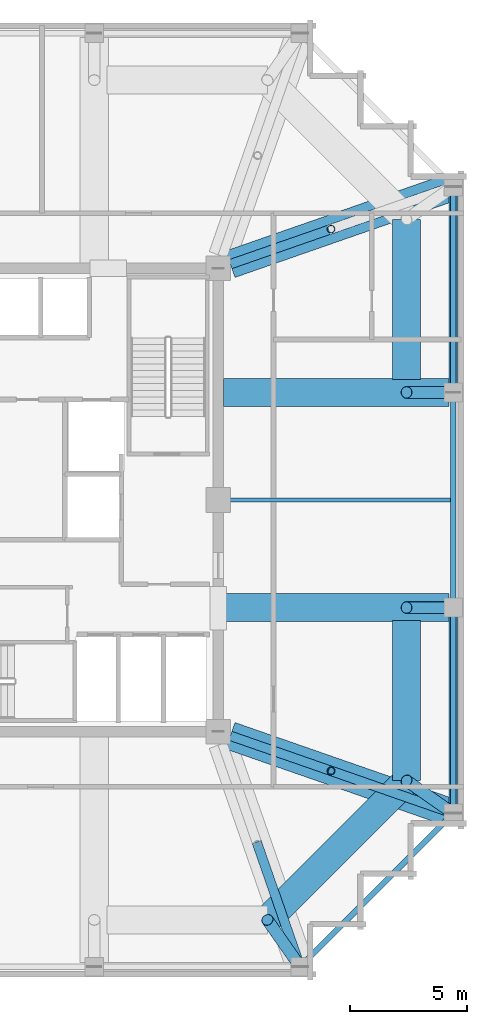
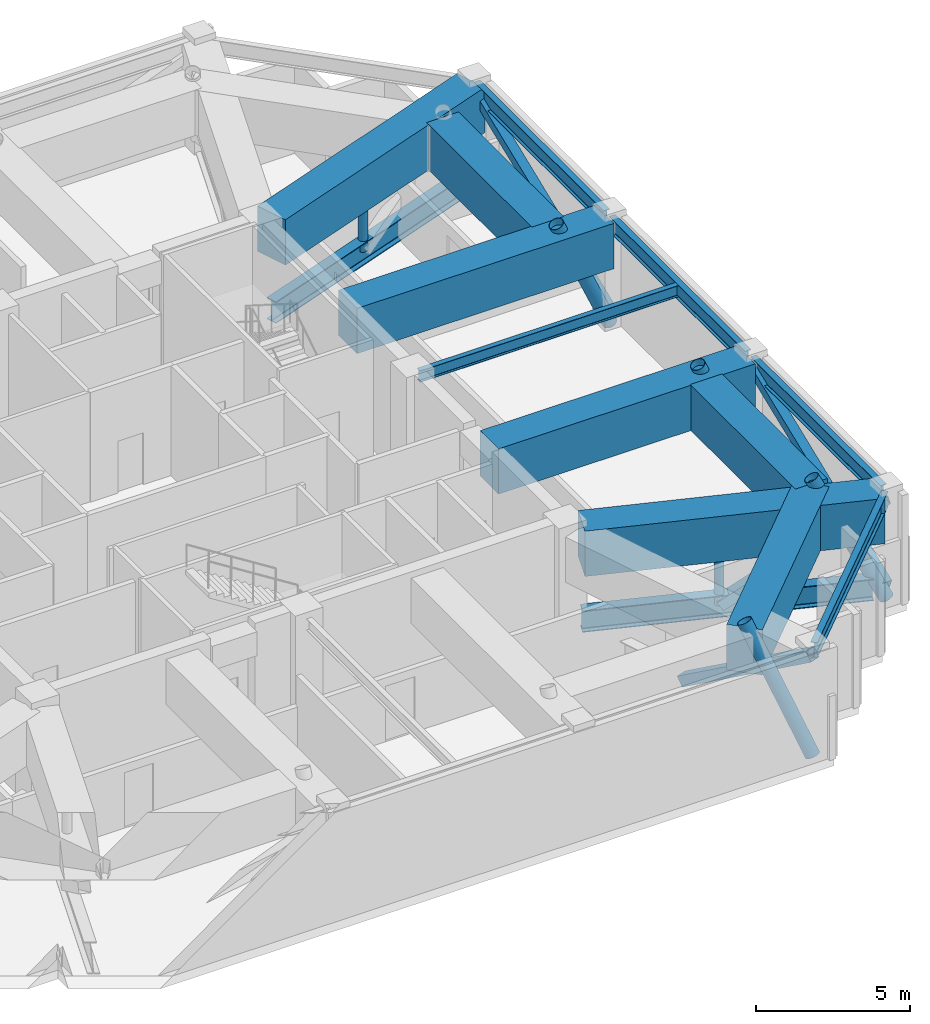
# One storey, part 5 of 14: 14 beams, 10 members.
"""IFC4 building model written with IfcOpenShell, lengths in metres."""

from ifc_helpers import new_model, si_unit, direction, frame, origin, origin_2d, place, context, subcontext, project, spatial, rectangle, hollow_rectangle, hollow_circle, i_section, extrude, material, material_profile, profile_set, type_object, element, save


model = new_model("IFC4")

# Units and contexts
model_context = context("Model", 3, precision=1e-05, world=origin(), true_north=direction((0.0, 1.0)))
body_context = subcontext(model_context, "Body", "Model", "MODEL_VIEW")
ifc_project = project(units=[si_unit("LENGTHUNIT", "METRE"), si_unit("AREAUNIT", "SQUARE_METRE"), si_unit("VOLUMEUNIT", "CUBIC_METRE"), si_unit("PLANEANGLEUNIT", "RADIAN"), si_unit("MASSUNIT", "GRAM", prefix="KILO")], contexts=[model_context])

# Site, building, storey
site_placement = place(None, origin())
site = spatial("IfcSite", under=ifc_project, at=site_placement, CompositionType="ELEMENT")
building_placement = place(site_placement, origin())
building = spatial("IfcBuilding", under=site, at=building_placement, Name="Kolvaren Belvedere", CompositionType="ELEMENT")
storey_placement = place(building_placement, frame((0.0, 0.0, 232.800048828125)))
storey = spatial("IfcBuildingStorey", under=building, at=storey_placement, Name="L68", CompositionType="ELEMENT", Elevation=232.800048828125)

# Beams
ifc_material_1 = material(Name="Structural steel ASTM A992 Grade 50", Category="steel")
ifc_material_profile_1 = material_profile(ifc_material_1, i_section(OverallWidth=0.39990234375, OverallDepth=0.85595703125, WebThickness=0.018310546875, FlangeThickness=0.029296875, FilletRadius=0.02490234375, at=origin_2d()), Name="W33X201")
ifc_profile_set_1 = profile_set([ifc_material_profile_1], Name="Structural steel ASTM A992 Grade 50")
beam_type_1 = type_object("IfcBeamType", Name="BM-GIRD-W33X201", PredefinedType="BEAM", material=ifc_profile_set_1)
for number, where, z_axis, x_axis, name in (
    (1, (10.41943359375, -10.080810546875, 0.47998046875), (0.944367258128, -0.328892811986, 0.0), (0.328892811986, 0.944367258128, 0.0), "L68 Outrigger Truss Bottom Chord OB-4"),
    (2, (10.41943359375, 10.080810546875, 0.47998046875), (0.944367258128, 0.328892811986, 0.0), (-0.328892811986, 0.944367258128, 0.0), "L68 Outrigger Truss Bottom Chord OB-6"),
):
    element("IfcBeam", number, at=place(storey_placement, frame(where, z_axis=z_axis, x_axis=x_axis)), inside=storey, type_object=beam_type_1, Name=name, PredefinedType="BEAM", context=body_context, shape_type="SweptSolid", body=[
        extrude(i_section(OverallWidth=0.39990234375, OverallDepth=0.85595703125, WebThickness=0.018310546875, FlangeThickness=0.029296875, FilletRadius=0.02490234375, at=origin_2d()), origin(), (0.0, 0.0, 1.0), 9.641845703125),
    ])
ifc_material_2 = material(Name="Structural steel ASTM A992 Grade 50", Category="steel")
ifc_material_profile_2 = material_profile(ifc_material_2, i_section(OverallWidth=0.19091796875, OverallDepth=0.4599609375, WebThickness=0.010009765625, FlangeThickness=0.01611328125, FilletRadius=0.014892578125, at=origin_2d()), Name="W18X55")
ifc_profile_set_2 = profile_set([ifc_material_profile_2], Name="Structural steel ASTM A992 Grade 50")
beam_type_2 = type_object("IfcBeamType", Name="BM-JOIST-W18X55", PredefinedType="BEAM", material=ifc_profile_set_2)
beam_1_placement = place(storey_placement, frame((10.125, 0.0, 4.119873046875), z_axis=(1.0, 0.0, 0.0), x_axis=(0.0, 1.0, 0.0)))
element("IfcBeam", 3, at=beam_1_placement, inside=storey, type_object=beam_type_2, Name="L68 East Centre Floor Beam", PredefinedType="BEAM", context=body_context, shape_type="SweptSolid", body=[
    extrude(i_section(OverallWidth=0.19091796875, OverallDepth=0.4599609375, WebThickness=0.010009765625, FlangeThickness=0.01611328125, FilletRadius=0.014892578125, at=origin_2d()), origin(), (0.0, 0.0, 1.0), 9.71044921875),
])
ifc_material_3 = material(Name="Structural steel ASTM A992 Grade 50", Category="steel")
ifc_material_profile_3 = material_profile(ifc_material_3, i_section(OverallWidth=0.22900390625, OverallDepth=0.612060546875, WebThickness=0.011962890625, FlangeThickness=0.01953125, FilletRadius=0.01806640625, at=origin_2d()), Name="W24X84")
ifc_profile_set_3 = profile_set([ifc_material_profile_3], Name="Structural steel ASTM A992 Grade 50")
beam_type_3 = type_object("IfcBeamType", Name="BM-SPAN-W24X84", PredefinedType="SPANDREL", material=ifc_profile_set_3)
beam_2_placement = place(storey_placement, frame((13.52734375, -19.82275390625, 4.0439453125), z_axis=(0.707106781187, 0.707106781187, 0.0), x_axis=(-0.707106781187, 0.707106781187, 0.0)))
element("IfcBeam", 4, at=beam_2_placement, inside=storey, type_object=beam_type_3, Name="L68 Perimeter Spandrel S4-E1", PredefinedType="SPANDREL", context=body_context, shape_type="SweptSolid", body=[
    extrude(i_section(OverallWidth=0.22900390625, OverallDepth=0.612060546875, WebThickness=0.011962890625, FlangeThickness=0.01953125, FilletRadius=0.01806640625, at=origin_2d()), origin(), (0.0, 0.0, 1.0), 8.903076171875),
])
beam_3_placement = place(storey_placement, frame((19.949951171875, -13.219970703125, 4.0439453125), z_axis=(0.0, 1.0, 0.0), x_axis=(-1.0, 0.0, 0.0)))
element("IfcBeam", 5, at=beam_3_placement, inside=storey, type_object=beam_type_3, Name="L68 Perimeter Spandrel E1-E2", PredefinedType="SPANDREL", context=body_context, shape_type="SweptSolid", body=[
    extrude(i_section(OverallWidth=0.22900390625, OverallDepth=0.612060546875, WebThickness=0.011962890625, FlangeThickness=0.01953125, FilletRadius=0.01806640625, at=origin_2d()), origin(), (0.0, 0.0, 1.0), 8.43994140625),
])
beam_4_placement = place(storey_placement, frame((19.949951171875, -4.419921875, 4.0439453125), z_axis=(0.0, 1.0, 0.0), x_axis=(-1.0, 0.0, 0.0)))
element("IfcBeam", 6, at=beam_4_placement, inside=storey, type_object=beam_type_3, Name="L68 Perimeter Spandrel E2-E3", PredefinedType="SPANDREL", context=body_context, shape_type="SweptSolid", body=[
    extrude(i_section(OverallWidth=0.22900390625, OverallDepth=0.612060546875, WebThickness=0.011962890625, FlangeThickness=0.01953125, FilletRadius=0.01806640625, at=origin_2d()), origin(), (0.0, 0.0, 1.0), 8.83984375),
])
beam_5_placement = place(storey_placement, frame((19.949951171875, 4.780029296875, 4.0439453125), z_axis=(0.0, 1.0, 0.0), x_axis=(-1.0, 0.0, 0.0)))
element("IfcBeam", 7, at=beam_5_placement, inside=storey, type_object=beam_type_3, Name="L68 Perimeter Spandrel E3-E4", PredefinedType="SPANDREL", context=body_context, shape_type="SweptSolid", body=[
    extrude(i_section(OverallWidth=0.22900390625, OverallDepth=0.612060546875, WebThickness=0.011962890625, FlangeThickness=0.01953125, FilletRadius=0.01806640625, at=origin_2d()), origin(), (0.0, 0.0, 1.0), 8.43994140625),
])
ifc_material_4 = material(Name="Concrete C50/60", Category="concrete")
ifc_material_profile_4 = material_profile(ifc_material_4, rectangle(XDim=1.199951171875, YDim=1.800048828125, at=origin_2d()), Name="RC 1200X1800")
ifc_profile_set_4 = profile_set([ifc_material_profile_4], Name="Concrete C50/60")
beam_type_4 = type_object("IfcBeamType", Name="BM-TG-1800", PredefinedType="BEAM", material=ifc_profile_set_4)
beam_6_placement = place(storey_placement, frame((12.0, -17.949951171875, 3.449951171875), z_axis=(0.707106781187, 0.707106781187, 0.0), x_axis=(-0.707106781187, 0.707106781187, 0.0)))
element("IfcBeam", 8, at=beam_6_placement, inside=storey, type_object=beam_type_4, Name="L68 Step Transfer Ring Girder S4-E1", PredefinedType="BEAM", context=body_context, shape_type="SweptSolid", body=[
    extrude(rectangle(XDim=1.199951171875, YDim=1.800048828125, at=origin_2d()), origin(), (0.0, 0.0, 1.0), 8.41455078125),
])
for number, where, z_axis, x_axis, name in (
    (9, (17.949951171875, -12.0, 3.449951171875), (0.0, 1.0, 0.0), (-1.0, 0.0, 0.0), "L68 Step Transfer Ring Girder E1-E2"),
    (10, (17.949951171875, 5.14990234375, 3.449951171875), (0.0, 1.0, 0.0), (-1.0, 0.0, 0.0), "L68 Step Transfer Ring Girder E3-E4"),
):
    element("IfcBeam", number, at=place(storey_placement, frame(where, z_axis=z_axis, x_axis=x_axis)), inside=storey, type_object=beam_type_4, Name=name, PredefinedType="BEAM", context=body_context, shape_type="SweptSolid", body=[
        extrude(rectangle(XDim=1.199951171875, YDim=1.800048828125, at=origin_2d()), origin(), (0.0, 0.0, 1.0), 6.85009765625),
    ])
for number, where, z_axis, x_axis, name in (
    (11, (10.125, 4.60009765625, 3.449951171875), (1.0, 0.0, 0.0), (0.0, 1.0, 0.0), "L68 East Radial Girder P"),
    (12, (10.125, -4.60009765625, 3.449951171875), (1.0, 0.0, 0.0), (0.0, 1.0, 0.0), "L68 East Radial Girder M"),
):
    element("IfcBeam", number, at=place(storey_placement, frame(where, z_axis=z_axis, x_axis=x_axis)), inside=storey, type_object=beam_type_4, Name=name, PredefinedType="BEAM", context=body_context, shape_type="SweptSolid", body=[
        extrude(rectangle(XDim=1.199951171875, YDim=1.800048828125, at=origin_2d()), origin(), (0.0, 0.0, 1.0), 9.64501953125),
    ])
for number, where, z_axis, x_axis, name in (
    (13, (10.41943359375, -10.080810546875, 3.449951171875), (0.944365399758, -0.328898147971, 0.0), (0.328898147971, 0.944365399758, 0.0), "L68 Corner Core-to-Perimeter Girder CC2-E1"),
    (14, (10.41943359375, 10.080810546875, 3.449951171875), (0.944365399758, 0.328898147971, 0.0), (-0.328898147971, 0.944365399758, 0.0), "L68 Corner Core-to-Perimeter Girder CC3-E4"),
):
    element("IfcBeam", number, at=place(storey_placement, frame(where, z_axis=z_axis, x_axis=x_axis)), inside=storey, type_object=beam_type_4, Name=name, PredefinedType="BEAM", context=body_context, shape_type="SweptSolid", body=[
        extrude(rectangle(XDim=1.199951171875, YDim=1.800048828125, at=origin_2d()), origin(), (0.0, 0.0, 1.0), 9.931884765625),
    ])

# Members
ifc_material_5 = material(Name="Structural steel ASTM A500 Grade C", Category="steel")
ifc_material_profile_5 = material_profile(ifc_material_5, hollow_rectangle(XDim=0.35595703125, YDim=0.35595703125, WallThickness=0.01171875, at=origin_2d()), Name="HSS14X14X1/2")
ifc_profile_set_5 = profile_set([ifc_material_profile_5], Name="Structural steel ASTM A500 Grade C")
member_type_1 = type_object("IfcMemberType", Name="MB-BELT-BRACE", PredefinedType="BRACE", material=ifc_profile_set_5)
for number, where, z_axis, x_axis, name in (
    (15, (19.949951171875, -13.39990234375, 0.47998046875), (0.0, 0.928473137817, 0.371399558902), (-1.0, 0.0, 0.0), "L68 Perimeter Belt Truss Brace BT-7"),
    (16, (19.949951171875, 4.60009765625, 0.47998046875), (0.0, 0.928473137817, 0.371399558902), (-1.0, 0.0, 0.0), "L68 Perimeter Belt Truss Brace BT-8"),
):
    element("IfcMember", number, at=place(storey_placement, frame(where, z_axis=z_axis, x_axis=x_axis)), inside=storey, type_object=member_type_1, Name=name, PredefinedType="BRACE", context=body_context, shape_type="SweptSolid", body=[
        extrude(hollow_rectangle(XDim=0.35595703125, YDim=0.35595703125, WallThickness=0.01171875, at=origin_2d()), origin(), (0.0, 0.0, 1.0), 9.477783203125),
    ])
ifc_material_6 = material(Name="Structural steel ASTM A500 Grade C", Category="steel")
ifc_material_profile_6 = material_profile(ifc_material_6, hollow_circle(Radius=0.162109375, WallThickness=0.01171875, at=origin_2d()), Name="HSS12.750X0.500")
ifc_profile_set_6 = profile_set([ifc_material_profile_6], Name="Structural steel ASTM A500 Grade C")
member_type_2 = type_object("IfcMemberType", Name="MB-CAN-POST", PredefinedType="POST", material=ifc_profile_set_6)
for number, where, z_axis, x_axis, name in (
    (17, (14.72412109375, -11.580078125, 0.47998046875), (0.0, 0.0, 1.0), (1.0, 0.0, 0.0), "L68 Outrigger Portal Post OP-4"),
    (18, (14.72412109375, 11.580078125, 0.47998046875), (0.0, 0.0, 1.0), (1.0, 0.0, 0.0), "L68 Outrigger Portal Post OP-6"),
):
    element("IfcMember", number, at=place(storey_placement, frame(where, z_axis=z_axis, x_axis=x_axis)), inside=storey, type_object=member_type_2, Name=name, PredefinedType="POST", context=body_context, shape_type="SweptSolid", body=[
        extrude(hollow_circle(Radius=0.162109375, WallThickness=0.01171875, at=origin_2d()), origin(), (0.0, 0.0, 1.0), 3.52001953125),
    ])
ifc_material_7 = material(Name="Structural steel ASTM A500 Grade C", Category="steel")
ifc_material_profile_7 = material_profile(ifc_material_7, hollow_rectangle(XDim=0.406005859375, YDim=0.406005859375, WallThickness=0.014892578125, at=origin_2d()), Name="HSS16X16X5/8")
ifc_profile_set_7 = profile_set([ifc_material_profile_7], Name="Structural steel ASTM A500 Grade C")
member_type_3 = type_object("IfcMemberType", Name="MB-OUTRIGGER", PredefinedType="BRACE", material=ifc_profile_set_7)
for number, where, z_axis, x_axis, name in (
    (19, (11.580078125, -14.72412109375, 0.47998046875), (0.27748317362, -0.796824165727, 0.536725569795), (0.944376502414, 0.32886626718, 0.0), "L68 Outrigger Truss Diagonal OT-3A"),
    (20, (14.72412109375, -11.580078125, 0.47998046875), (0.796824165727, -0.27748317362, 0.536725569795), (0.32886626718, 0.944376502414, 0.0), "L68 Outrigger Truss Diagonal OT-4A"),
):
    element("IfcMember", number, at=place(storey_placement, frame(where, z_axis=z_axis, x_axis=x_axis)), inside=storey, type_object=member_type_3, Name=name, PredefinedType="BRACE", context=body_context, shape_type="SweptSolid", body=[
        extrude(hollow_rectangle(XDim=0.406005859375, YDim=0.406005859375, WallThickness=0.014892578125, at=origin_2d()), origin(), (0.0, 0.0, 1.0), 6.558349609375),
    ])
ifc_material_8 = material(Name="Structural steel ASTM A500 Grade C", Category="steel")
ifc_material_profile_8 = material_profile(ifc_material_8, hollow_circle(Radius=0.25390625, WallThickness=0.01171875, at=origin_2d()), Name="HSS20.000X0.500")
ifc_profile_set_8 = profile_set([ifc_material_profile_8], Name="Structural steel ASTM A500 Grade C")
member_type_4 = type_object("IfcMemberType", Name="MB-WAIST-STRUT", PredefinedType="STRUT", material=ifc_profile_set_8)
for number, where, z_axis, x_axis, name in (
    (21, (13.39990234375, -19.949951171875, 0.0), (-0.268822662479, 0.384059164812, 0.883307949733), (-0.819250713189, -0.573435496756, 0.0), "L68 Inclined Waist Transition Strut S4"),
    (22, (19.949951171875, -13.39990234375, 0.0), (-0.384059164812, 0.268822662479, 0.883307949733), (-0.573435496756, -0.819250713189, 0.0), "L68 Inclined Waist Transition Strut E1"),
):
    element("IfcMember", number, at=place(storey_placement, frame(where, z_axis=z_axis, x_axis=x_axis)), inside=storey, type_object=member_type_4, Name=name, PredefinedType="STRUT", context=body_context, shape_type="SweptSolid", body=[
        extrude(hollow_circle(Radius=0.25390625, WallThickness=0.01171875, at=origin_2d()), origin(), (0.0, 0.0, 1.0), 5.20751953125),
    ])
for number, where, z_axis, x_axis, name in (
    (23, (19.949951171875, -4.60009765625, 0.0), (-0.398736790245, 0.0, 0.917065413209), (0.0, -1.0, 0.0), "L68 Inclined Waist Transition Strut E2"),
    (24, (19.949951171875, 4.60009765625, 0.0), (-0.398736790245, 0.0, 0.917065413209), (0.0, -1.0, 0.0), "L68 Inclined Waist Transition Strut E3"),
):
    element("IfcMember", number, at=place(storey_placement, frame(where, z_axis=z_axis, x_axis=x_axis)), inside=storey, type_object=member_type_4, Name=name, PredefinedType="STRUT", context=body_context, shape_type="SweptSolid", body=[
        extrude(hollow_circle(Radius=0.25390625, WallThickness=0.01171875, at=origin_2d()), origin(), (0.0, 0.0, 1.0), 5.015869140625),
    ])

save(model, "model.ifc")
